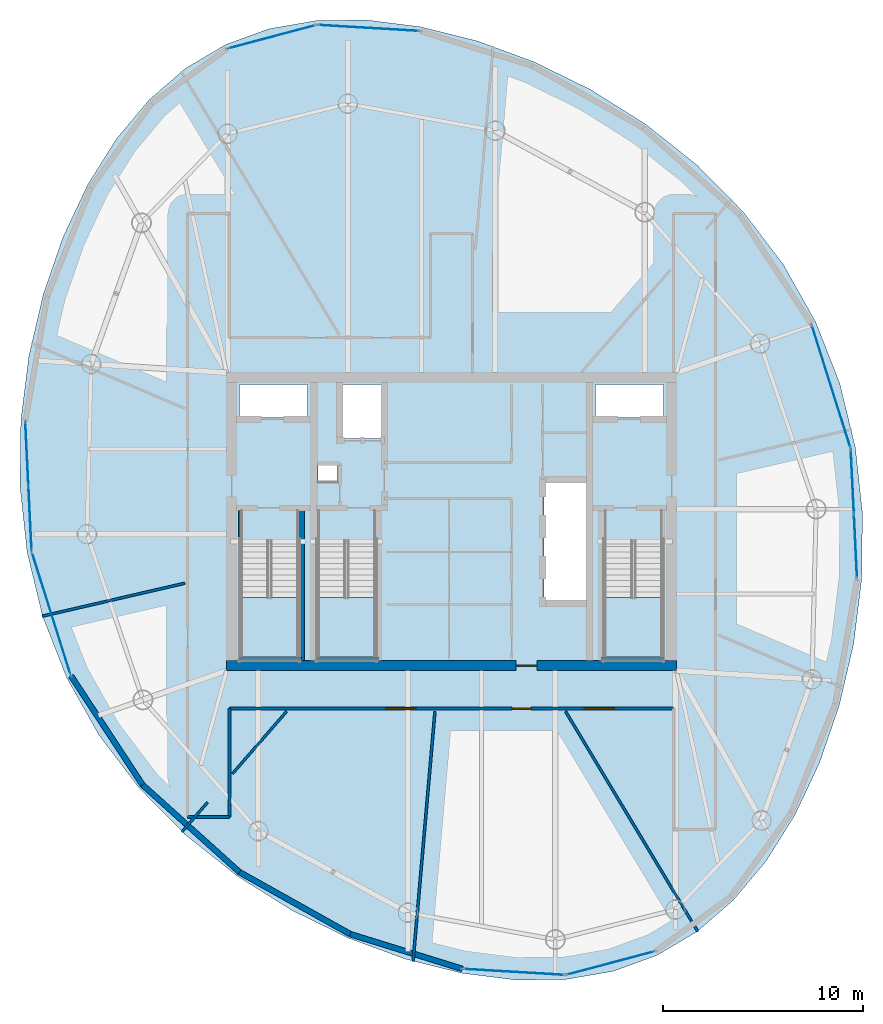
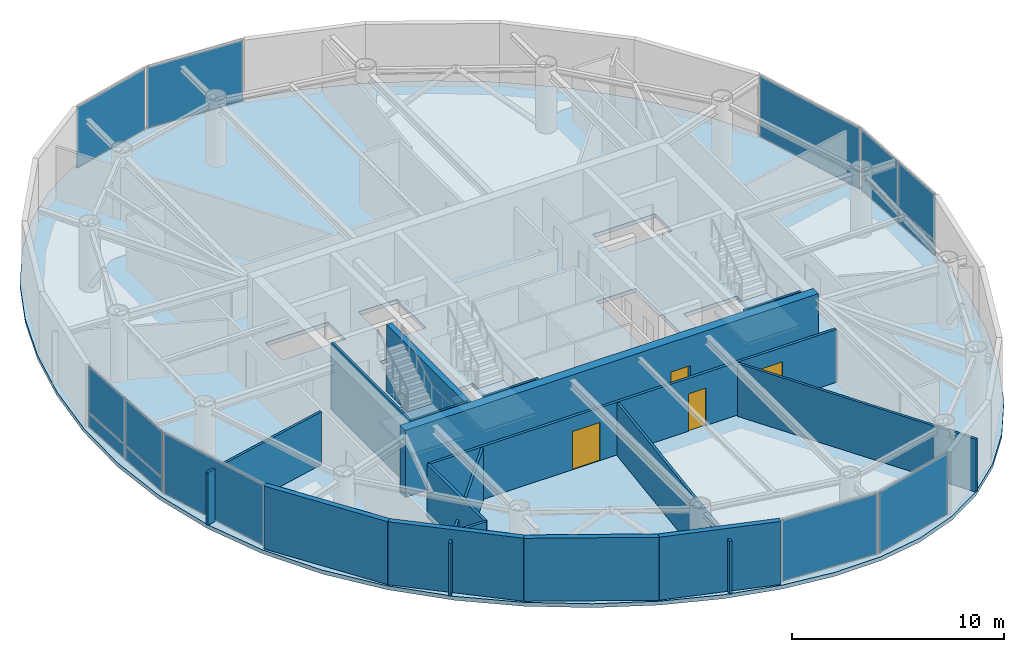
# One storey, part 13 of 19: 18 walls, 14 plates, 4 doors, 4 slabs, 4 openings, 11 elements without a shape of their own.
"""IFC4 building model written with IfcOpenShell, lengths in metres."""

from ifc_helpers import new_model, si_unit, direction, frame, frame_2d, origin, origin_2d, place, context, subcontext, project, spatial, polyline, rectangle, outline, extrude, material, layer, layer_set, type_object, element, fill, aggregate, save


model = new_model("IFC4")

# Units and contexts
model_context = context("Model", 3, precision=1e-05, world=origin(), true_north=direction((0.0, 1.0)))
body_context = subcontext(model_context, "Body", "Model", "MODEL_VIEW")
ifc_project = project(units=[si_unit("LENGTHUNIT", "METRE"), si_unit("AREAUNIT", "SQUARE_METRE"), si_unit("VOLUMEUNIT", "CUBIC_METRE"), si_unit("PLANEANGLEUNIT", "RADIAN"), si_unit("MASSUNIT", "GRAM", prefix="KILO")], contexts=[model_context])

# Site, building, storey
site_placement = place(None, origin())
site = spatial("IfcSite", under=ifc_project, at=site_placement, CompositionType="ELEMENT")
building_placement = place(site_placement, origin())
building = spatial("IfcBuilding", under=site, at=building_placement, Name="Bramvorn Convention Spire", CompositionType="ELEMENT")
storey_placement = place(building_placement, frame((0.0, 0.0, 292.10009765625)))
storey = spatial("IfcBuildingStorey", under=building, at=storey_placement, Name="L74", CompositionType="ELEMENT", Elevation=292.10009765625)

# Curtain wall, plates
ifc_material_1 = material(Name="Anodised Bronze Unitised Curtain Wall", Category="aluminium")
ifc_layer_1 = layer(ifc_material_1, 0.179931640625)
ifc_layer_set_1 = layer_set([ifc_layer_1], Name="Anodised Bronze Unitised Curtain Wall - CW-OFF-FRIT")
curtain_wall_type = type_object("IfcCurtainWallType", Name="CW-OFF-FRIT", PredefinedType="USERDEFINED", material=ifc_layer_set_1)
curtain_wall_1_placement = place(storey_placement, origin())
curtain_wall_1 = element("IfcCurtainWall", 1, at=curtain_wall_1_placement, inside=storey, type_object=curtain_wall_type, Name="L74 fritted glass curtain wall 05", ObjectType="UNITISED CURTAIN WALL", PredefinedType="USERDEFINED")
ifc_material_2 = material(Name="Laminated Low-E Glass (Triple IGU High-VLT Low-Iron 22%)", Category="glass")
ifc_layer_2 = layer(ifc_material_2, 0.0419921875)
ifc_layer_set_2 = layer_set([ifc_layer_2], Name="Laminated Low-E Glass (Triple IGU High-VLT Low-Iron 22%) - PNL-IGU-4")
plate_type = type_object("IfcPlateType", Name="PNL-IGU-4", PredefinedType="CURTAIN_PANEL", material=ifc_layer_set_2)
plate_1_placement = place(storey_placement, frame((58.047119140625, 28.0078125, 0.059814453125), z_axis=(0.0, 0.0, 1.0), x_axis=(0.04872628209, -0.998812169246, 0.0)))
plate_1 = element("IfcPlate", 2, at=plate_1_placement, type_object=plate_type, Name="CW3 panel 1.1", PredefinedType="CURTAIN_PANEL", context=body_context, shape_type="SweptSolid", body=[
    extrude(rectangle(XDim=3.173095703125, YDim=0.028076171875, at=origin_2d()), origin(), (0.0, 0.0, 1.0), 0.81005859375),
])
plate_2_placement = place(storey_placement, frame((58.047119140625, 28.0078125, 0.9296875), z_axis=(0.0, 0.0, 1.0), x_axis=(0.04872628209, -0.998812169246, 0.0)))
plate_2 = element("IfcPlate", 3, at=plate_2_placement, type_object=plate_type, Name="CW3 panel 1.2", PredefinedType="CURTAIN_PANEL", context=body_context, shape_type="SweptSolid", body=[
    extrude(rectangle(XDim=3.173095703125, YDim=0.028076171875, at=origin_2d()), origin(), (0.0, 0.0, 1.0), 2.635009765625),
])
plate_3_placement = place(storey_placement, frame((58.20458984375, 24.7783203125, 0.059814453125), z_axis=(0.0, 0.0, 1.0), x_axis=(0.04872628209, -0.998812169246, 0.0)))
plate_3 = element("IfcPlate", 4, at=plate_3_placement, type_object=plate_type, Name="CW3 panel 2.1", PredefinedType="CURTAIN_PANEL", context=body_context, shape_type="SweptSolid", body=[
    extrude(rectangle(XDim=3.173095703125, YDim=0.028076171875, at=origin_2d()), origin(), (0.0, 0.0, 1.0), 0.81005859375),
])
plate_4_placement = place(storey_placement, frame((58.20458984375, 24.7783203125, 0.9296875), z_axis=(0.0, 0.0, 1.0), x_axis=(0.04872628209, -0.998812169246, 0.0)))
plate_4 = element("IfcPlate", 5, at=plate_4_placement, type_object=plate_type, Name="CW3 panel 2.2", PredefinedType="CURTAIN_PANEL", context=body_context, shape_type="SweptSolid", body=[
    extrude(rectangle(XDim=3.173095703125, YDim=0.028076171875, at=origin_2d()), origin(), (0.0, 0.0, 1.0), 2.635009765625),
])
aggregate(curtain_wall_1, [plate_1, plate_2, plate_3, plate_4])

# Curtain wall, plate
curtain_wall_2_placement = place(storey_placement, origin())
curtain_wall_2 = element("IfcCurtainWall", 6, at=curtain_wall_2_placement, inside=storey, type_object=curtain_wall_type, Name="L74 fritted glass curtain wall 06", ObjectType="UNITISED CURTAIN WALL", PredefinedType="USERDEFINED")
plate_5_placement = place(storey_placement, frame((56.984619140625, 32.764404296875, 0.06005859375), z_axis=(0.0, 0.0, 1.0), x_axis=(0.301014778245, -0.953619475094, 0.0)))
plate_5 = element("IfcPlate", 7, at=plate_5_placement, type_object=plate_type, Name="CW3 panel 1.1", PredefinedType="CURTAIN_PANEL", context=body_context, shape_type="SweptSolid", body=[
    extrude(rectangle(XDim=6.406982421875, YDim=0.028076171875, at=origin_2d()), origin(), (0.0, 0.0, 1.0), 3.5048828125),
])
aggregate(curtain_wall_2, [plate_5])

curtain_wall_3_placement = place(storey_placement, origin())
curtain_wall_3 = element("IfcCurtainWall", 8, at=curtain_wall_3_placement, inside=storey, type_object=curtain_wall_type, Name="L74 fritted glass curtain wall 11", ObjectType="UNITISED CURTAIN WALL", PredefinedType="USERDEFINED")
plate_6_placement = place(storey_placement, frame((33.8505859375, 50.687744140625, 0.06005859375), z_axis=(0.0, 0.0, 1.0), x_axis=(0.998234732905, -0.059392070371, 0.0)))
plate_6 = element("IfcPlate", 9, at=plate_6_placement, type_object=plate_type, Name="CW3 panel 1.1", PredefinedType="CURTAIN_PANEL", context=body_context, shape_type="SweptSolid", body=[
    extrude(rectangle(XDim=5.05908203125, YDim=0.028076171875, at=origin_2d()), origin(), (0.0, 0.0, 1.0), 3.5048828125),
])
aggregate(curtain_wall_3, [plate_6])

curtain_wall_4_placement = place(storey_placement, origin())
curtain_wall_4 = element("IfcCurtainWall", 10, at=curtain_wall_4_placement, inside=storey, type_object=curtain_wall_type, Name="L74 fritted glass curtain wall 12", ObjectType="UNITISED CURTAIN WALL", PredefinedType="USERDEFINED")
plate_7_placement = place(storey_placement, frame((29.01806640625, 50.245361328125, 0.06005859375), z_axis=(0.0, 0.0, 1.0), x_axis=(0.966583090481, 0.256353523862, 0.0)))
plate_7 = element("IfcPlate", 11, at=plate_7_placement, type_object=plate_type, Name="CW3 panel 1.1", PredefinedType="CURTAIN_PANEL", context=body_context, shape_type="SweptSolid", body=[
    extrude(rectangle(XDim=4.530517578125, YDim=0.028076171875, at=origin_2d()), origin(), (0.0, 0.0, 1.0), 3.5048828125),
])
aggregate(curtain_wall_4, [plate_7])

# Curtain wall, plates
curtain_wall_5_placement = place(storey_placement, origin())
curtain_wall_5 = element("IfcCurtainWall", 12, at=curtain_wall_5_placement, inside=storey, type_object=curtain_wall_type, Name="L74 fritted glass curtain wall 17", ObjectType="UNITISED CURTAIN WALL", PredefinedType="USERDEFINED")
plate_8_placement = place(storey_placement, frame((16.92333984375, 26.160400390625, 0.059814453125), z_axis=(0.0, 0.0, 1.0), x_axis=(-0.048710995733, 0.998812914862, 0.0)))
plate_8 = element("IfcPlate", 13, at=plate_8_placement, type_object=plate_type, Name="CW3 panel 1.1", PredefinedType="CURTAIN_PANEL", context=body_context, shape_type="SweptSolid", body=[
    extrude(rectangle(XDim=3.173095703125, YDim=0.028076171875, at=origin_2d()), origin(), (0.0, 0.0, 1.0), 0.81005859375),
])
plate_9_placement = place(storey_placement, frame((16.92333984375, 26.160400390625, 0.9296875), z_axis=(0.0, 0.0, 1.0), x_axis=(-0.048710995733, 0.998812914862, 0.0)))
plate_9 = element("IfcPlate", 14, at=plate_9_placement, type_object=plate_type, Name="CW3 panel 1.2", PredefinedType="CURTAIN_PANEL", context=body_context, shape_type="SweptSolid", body=[
    extrude(rectangle(XDim=3.173095703125, YDim=0.028076171875, at=origin_2d()), origin(), (0.0, 0.0, 1.0), 2.635009765625),
])
plate_10_placement = place(storey_placement, frame((16.765869140625, 29.3896484375, 0.059814453125), z_axis=(0.0, 0.0, 1.0), x_axis=(-0.048710995733, 0.998812914862, 0.0)))
plate_10 = element("IfcPlate", 15, at=plate_10_placement, type_object=plate_type, Name="CW3 panel 2.1", PredefinedType="CURTAIN_PANEL", context=body_context, shape_type="SweptSolid", body=[
    extrude(rectangle(XDim=3.173095703125, YDim=0.028076171875, at=origin_2d()), origin(), (0.0, 0.0, 1.0), 0.81005859375),
])
plate_11_placement = place(storey_placement, frame((16.765869140625, 29.3896484375, 0.9296875), z_axis=(0.0, 0.0, 1.0), x_axis=(-0.048710995733, 0.998812914862, 0.0)))
plate_11 = element("IfcPlate", 16, at=plate_11_placement, type_object=plate_type, Name="CW3 panel 2.2", PredefinedType="CURTAIN_PANEL", context=body_context, shape_type="SweptSolid", body=[
    extrude(rectangle(XDim=3.173095703125, YDim=0.028076171875, at=origin_2d()), origin(), (0.0, 0.0, 1.0), 2.635009765625),
])
aggregate(curtain_wall_5, [plate_8, plate_9, plate_10, plate_11])

# Curtain wall, plate
curtain_wall_6_placement = place(storey_placement, origin())
curtain_wall_6 = element("IfcCurtainWall", 17, at=curtain_wall_6_placement, inside=storey, type_object=curtain_wall_type, Name="L74 fritted glass curtain wall 18", ObjectType="UNITISED CURTAIN WALL", PredefinedType="USERDEFINED")
plate_12_placement = place(storey_placement, frame((17.98583984375, 21.403564453125, 0.06005859375), z_axis=(0.0, 0.0, 1.0), x_axis=(-0.301014778245, 0.953619475094, 0.0)))
plate_12 = element("IfcPlate", 18, at=plate_12_placement, type_object=plate_type, Name="CW3 panel 1.1", PredefinedType="CURTAIN_PANEL", context=body_context, shape_type="SweptSolid", body=[
    extrude(rectangle(XDim=6.406982421875, YDim=0.028076171875, at=origin_2d()), origin(), (0.0, 0.0, 1.0), 3.5048828125),
])
aggregate(curtain_wall_6, [plate_12])

curtain_wall_7_placement = place(storey_placement, origin())
curtain_wall_7 = element("IfcCurtainWall", 19, at=curtain_wall_7_placement, inside=storey, type_object=curtain_wall_type, Name="L74 fritted glass curtain wall 23", ObjectType="UNITISED CURTAIN WALL", PredefinedType="USERDEFINED")
plate_13_placement = place(storey_placement, frame((41.119873046875, 3.480224609375, 0.06005859375), z_axis=(0.0, 0.0, 1.0), x_axis=(-0.998234801011, 0.059390925661, 0.0)))
plate_13 = element("IfcPlate", 20, at=plate_13_placement, type_object=plate_type, Name="CW3 panel 1.1", PredefinedType="CURTAIN_PANEL", context=body_context, shape_type="SweptSolid", body=[
    extrude(rectangle(XDim=5.059326171875, YDim=0.028076171875, at=origin_2d()), origin(), (0.0, 0.0, 1.0), 3.5048828125),
])
aggregate(curtain_wall_7, [plate_13])

curtain_wall_8_placement = place(storey_placement, origin())
curtain_wall_8 = element("IfcCurtainWall", 21, at=curtain_wall_8_placement, inside=storey, type_object=curtain_wall_type, Name="L74 fritted glass curtain wall 24", ObjectType="UNITISED CURTAIN WALL", PredefinedType="USERDEFINED")
plate_14_placement = place(storey_placement, frame((45.952392578125, 3.922607421875, 0.06005859375), z_axis=(0.0, 0.0, 1.0), x_axis=(-0.966583090481, -0.256353523862, 0.0)))
plate_14 = element("IfcPlate", 22, at=plate_14_placement, type_object=plate_type, Name="CW3 panel 1.1", PredefinedType="CURTAIN_PANEL", context=body_context, shape_type="SweptSolid", body=[
    extrude(rectangle(XDim=4.530517578125, YDim=0.028076171875, at=origin_2d()), origin(), (0.0, 0.0, 1.0), 3.5048828125),
])
aggregate(curtain_wall_8, [plate_14])

# Stair, slab
ifc_material_3 = material(Name="Concrete C40/50 Precast Stair", Category="concrete")
stair_type = type_object("IfcStairType", Name="ST-TOWER-1550", PredefinedType="HALF_TURN_STAIR", material=ifc_material_3)
stair_1_placement = place(storey_placement, origin())
stair_1 = element("IfcStair", 23, at=stair_1_placement, inside=storey, type_object=stair_type, Name="L74 Protected Exit Stair ST1", PredefinedType="HALF_TURN_STAIR")
ifc_material_4 = material(Name="Concrete C40/50 Stair Landing", Category="concrete")
ifc_layer_3 = layer(ifc_material_4, 0.219970703125)
ifc_layer_set_3 = layer_set([ifc_layer_3], Name="Concrete C40/50 Stair Landing - SLB-STAIR-LANDING")
slab_type_1 = type_object("IfcSlabType", Name="SLB-STAIR-LANDING", PredefinedType="LANDING", material=ifc_layer_set_3)
slab_1_placement = place(storey_placement, frame((0.0, 0.0, 1.724853515625)))
slab_1 = element("IfcSlab", 24, at=slab_1_placement, type_object=slab_type_1, Name="ST1 landing 1", PredefinedType="LANDING", context=body_context, shape_type="SweptSolid", body=[
    extrude(outline(polyline([(27.449951171875, 22.199951171875), (27.449951171875, 19.10009765625), (30.35009765625, 19.10009765625), (30.35009765625, 22.199951171875), (27.449951171875, 22.199951171875)])), origin(), (0.0, 0.0, 1.0), 0.199951171875),
])
aggregate(stair_1, [slab_1])

stair_2_placement = place(storey_placement, origin())
stair_2 = element("IfcStair", 25, at=stair_2_placement, inside=storey, type_object=stair_type, Name="L74 Protected Exit Stair ST2", PredefinedType="HALF_TURN_STAIR")
slab_2_placement = place(storey_placement, frame((0.0, 0.0, 1.724853515625)))
slab_2 = element("IfcSlab", 26, at=slab_2_placement, type_object=slab_type_1, Name="ST2 landing 1", PredefinedType="LANDING", context=body_context, shape_type="SweptSolid", body=[
    extrude(outline(polyline([(45.64990234375, 22.199951171875), (45.64990234375, 19.10009765625), (48.550048828125, 19.10009765625), (48.550048828125, 22.199951171875), (45.64990234375, 22.199951171875)])), origin(), (0.0, 0.0, 1.0), 0.199951171875),
])
aggregate(stair_2, [slab_2])

stair_3_placement = place(storey_placement, origin())
stair_3 = element("IfcStair", 27, at=stair_3_placement, inside=storey, type_object=stair_type, Name="L74 Protected Exit Stair ST3", PredefinedType="HALF_TURN_STAIR")
slab_3_placement = place(storey_placement, frame((0.0, 0.0, 1.724853515625)))
slab_3 = element("IfcSlab", 28, at=slab_3_placement, type_object=slab_type_1, Name="ST3 landing 1", PredefinedType="LANDING", context=body_context, shape_type="SweptSolid", body=[
    extrude(outline(polyline([(31.300048828125, 22.199951171875), (31.300048828125, 19.10009765625), (34.199951171875, 19.10009765625), (34.199951171875, 22.199951171875), (31.300048828125, 22.199951171875)])), origin(), (0.0, 0.0, 1.0), 0.199951171875),
])
aggregate(stair_3, [slab_3])

# Slab
ifc_material_5 = material(Name="Concrete C40/50", Category="concrete")
ifc_layer_4 = layer(ifc_material_5, 0.22509765625)
ifc_layer_set_4 = layer_set([ifc_layer_4], Name="Concrete C40/50 - SLB-Z4-225")
slab_type_2 = type_object("IfcSlabType", Name="SLB-Z4-225", PredefinedType="FLOOR", material=ifc_layer_set_4)
slab_4_placement = place(storey_placement, frame((0.0, 0.0, -0.22509765625)))
element("IfcSlab", 29, at=slab_4_placement, inside=storey, type_object=slab_type_2, Name="L74 tower floor slab", PredefinedType="FLOOR", context=body_context, shape_type="SweptSolid", body=[
    extrude(outline(polyline([(48.29443359375, 4.320068359375), (50.291015625, 5.506591796875), (52.10400390625, 7.07958984375), (53.7333984375, 9.026123046875), (55.17138671875, 11.32275390625), (56.400390625, 13.93359375), (57.392578125, 16.810791015625), (58.1103515625, 19.89501953125), (58.510986328125, 23.119384765625), (58.552001953125, 26.41162109375), (58.196533203125, 29.6982421875), (57.420654296875, 32.90869140625), (56.216796875, 35.978515625), (54.598876953125, 38.851318359375), (52.601318359375, 41.481689453125), (50.279052734375, 43.83447265625), (47.701904296875, 45.883544921875), (44.949951171875, 47.61083984375), (42.106201171875, 49.00390625), (39.24951171875, 50.0537109375), (36.449462890625, 50.751220703125), (33.7607421875, 51.088623046875), (31.222412109375, 51.05615234375), (28.857421875, 50.645263671875), (26.676025390625, 49.84814453125), (24.6796875, 48.661376953125), (22.866455078125, 47.08837890625), (21.237060546875, 45.141845703125), (19.799072265625, 42.84521484375), (18.570068359375, 40.234375), (17.577880859375, 37.357177734375), (16.860107421875, 34.27294921875), (16.45947265625, 31.048583984375), (16.41845703125, 27.75634765625), (16.77392578125, 24.4697265625), (17.550048828125, 21.25927734375), (18.753662109375, 18.189697265625), (20.37158203125, 15.316650390625), (22.369140625, 12.686279296875), (24.69140625, 10.33349609375), (27.268798828125, 8.284423828125), (30.0205078125, 6.55712890625), (32.864501953125, 5.1640625), (35.720947265625, 4.114501953125), (38.521240234375, 3.416748046875), (41.209716796875, 3.079345703125), (43.748291015625, 3.11181640625), (46.113037109375, 3.522705078125), (48.29443359375, 4.320068359375)]), holes=[polyline([(27.449951171875, 25.050048828125), (27.449951171875, 19.10009765625), (30.35009765625, 19.10009765625), (30.35009765625, 25.050048828125), (27.449951171875, 25.050048828125)]), polyline([(45.64990234375, 25.050048828125), (45.64990234375, 19.10009765625), (48.550048828125, 19.10009765625), (48.550048828125, 25.050048828125), (45.64990234375, 25.050048828125)]), polyline([(31.300048828125, 25.050048828125), (31.300048828125, 19.10009765625), (34.199951171875, 19.10009765625), (34.199951171875, 25.050048828125), (31.300048828125, 25.050048828125)]), polyline([(27.39990234375, 31.219970703125), (30.800048828125, 31.219970703125), (30.800048828125, 32.85009765625), (27.39990234375, 32.85009765625), (27.39990234375, 31.219970703125)]), polyline([(45.199951171875, 31.219970703125), (48.60009765625, 31.219970703125), (48.60009765625, 32.85009765625), (45.199951171875, 32.85009765625), (45.199951171875, 31.219970703125)]), polyline([(32.449951171875, 30.14990234375), (34.56005859375, 30.14990234375), (34.56005859375, 32.85009765625), (32.449951171875, 32.85009765625), (32.449951171875, 30.14990234375)]), polyline([(42.6201171875, 22.0), (44.75, 22.0), (44.75, 28.0), (42.6201171875, 28.0), (42.6201171875, 22.0)]), polyline([(31.320068359375, 28.02001953125), (32.280029296875, 28.02001953125), (32.280029296875, 28.820068359375), (31.320068359375, 28.820068359375), (31.320068359375, 28.02001953125)])]), origin(), (0.0, 0.0, 1.0), 0.22509765625),
])

# Wall, opening, door
ifc_material_6 = material(Name="Concrete C50/60", Category="concrete")
ifc_layer_5 = layer(ifc_material_6, 0.5)
ifc_layer_set_5 = layer_set([ifc_layer_5], Name="Concrete C50/60 - WL-CORE-500")
wall_type_1 = type_object("IfcWallType", Name="WL-CORE-500", PredefinedType="SHEAR", material=ifc_layer_set_5)
wall_1_placement = place(storey_placement, frame((26.75, 18.800048828125, 0.0), z_axis=(0.0, 0.0, 1.0), x_axis=(1.0, 0.0, 0.0)))
wall_1 = element("IfcWall", 30, at=wall_1_placement, inside=storey, type_object=wall_type_1, Name="L74 South RC core shear wall", PredefinedType="SHEAR", context=body_context, shape_type="SweptSolid", body=[
    extrude(rectangle(XDim=22.5, YDim=0.5, at=frame_2d((11.25, 0.0))), origin(), (0.0, 0.0, 1.0), 3.849853515625),
])
opening_1_placement = place(wall_1_placement, frame((14.469970703125, 0.0, 0.0)))
opening_1 = element("IfcOpeningElement", 31, at=opening_1_placement, cuts=wall_1, Name="Opening DL-105", PredefinedType="OPENING", context=body_context, shape_type="SweptSolid", body=[
    extrude(rectangle(XDim=1.050048828125, YDim=2.14990234375, at=frame_2d((0.52490234375, 1.074951171875))), frame((0.0, 0.260009765625, 0.0), z_axis=(0.0, -1.0, 0.0), x_axis=(1.0, 0.0, 0.0)), (0.0, 0.0, 1.0), 0.52001953125),
])
ifc_material_7 = material(Name="Smoke-Sealed Fire Lobby Timber-Core Door", Category="wood")
door_type_1 = type_object("IfcDoorType", Name="DR-LOBBY-1050", OperationType="NOTDEFINED", PredefinedType="DOOR", material=ifc_material_7)
door_1_placement = place(opening_1_placement, origin())
door_1 = element("IfcDoor", 32, at=door_1_placement, inside=storey, type_object=door_type_1, Name="L74 South Lift Lobby fire door", OperationType="SINGLE_SWING_RIGHT", OverallHeight=2.14990234375, OverallWidth=1.050048828125, PredefinedType="DOOR", context=body_context, shape_type="SweptSolid", body=[
    extrude(rectangle(XDim=1.050048828125, YDim=2.14990234375, at=frame_2d((0.52490234375, 1.074951171875))), frame((0.0, 0.02490234375, 0.0), z_axis=(0.0, -1.0, 0.0), x_axis=(1.0, 0.0, 0.0)), (0.0, 0.0, 1.0), 0.050048828125),
])
fill(opening_1, door_1)

# Walls
ifc_material_8 = material(Name="Precast Concrete C40/50 with Bronze Terracotta Rainscreen", Category="masonry")
ifc_layer_6 = layer(ifc_material_8, 0.300048828125)
ifc_layer_set_6 = layer_set([ifc_layer_6], Name="Precast Concrete C40/50 with Bronze Terracotta Rainscreen - WL-EXT-BRONZE-300")
wall_type_2 = type_object("IfcWallType", Name="WL-EXT-BRONZE-300", PredefinedType="SOLIDWALL", material=ifc_layer_set_6)
wall_2_placement = place(storey_placement, frame((22.550048828125, 12.835205078125, 0.0), z_axis=(0.0, 0.0, 1.0), x_axis=(-0.54877327346, 0.835971228175, 0.0)))
element("IfcWall", 33, at=wall_2_placement, inside=storey, type_object=wall_type_2, Name="L74 expressed bronze Gothic lancet pier wall 19", PredefinedType="SOLIDWALL", context=body_context, shape_type="SweptSolid", body=[
    extrude(rectangle(XDim=6.52685546875, YDim=0.280029296875, at=frame_2d((3.263427734375, 0.0))), origin(), (0.0, 0.0, 1.0), 3.625),
])
wall_3_placement = place(storey_placement, frame((27.400390625, 8.46875, 0.0), z_axis=(0.0, 0.0, 1.0), x_axis=(-0.743206714198, 0.669061865578, 0.0)))
element("IfcWall", 34, at=wall_3_placement, inside=storey, type_object=wall_type_2, Name="L74 expressed bronze Gothic lancet pier wall 20", PredefinedType="SOLIDWALL", context=body_context, shape_type="SweptSolid", body=[
    extrude(rectangle(XDim=6.526123046875, YDim=0.280029296875, at=frame_2d((3.26318359375, 0.0))), origin(), (0.0, 0.0, 1.0), 3.625),
])
wall_4_placement = place(storey_placement, frame((32.938232421875, 5.37109375, 0.0), z_axis=(0.0, 0.0, 1.0), x_axis=(-0.872743421577, 0.48817918851, 0.0)))
element("IfcWall", 35, at=wall_4_placement, inside=storey, type_object=wall_type_2, Name="L74 expressed bronze Gothic lancet pier wall 21", PredefinedType="SOLIDWALL", context=body_context, shape_type="SweptSolid", body=[
    extrude(rectangle(XDim=6.34521484375, YDim=0.280029296875, at=frame_2d((3.172607421875, 0.0))), origin(), (0.0, 0.0, 1.0), 3.625),
])
wall_5_placement = place(storey_placement, frame((38.534912109375, 3.634033203125, 0.0), z_axis=(0.0, 0.0, 1.0), x_axis=(-0.955056409613, 0.296424112476, 0.0)))
element("IfcWall", 36, at=wall_5_placement, inside=storey, type_object=wall_type_2, Name="L74 expressed bronze Gothic lancet pier wall 22", PredefinedType="SOLIDWALL", context=body_context, shape_type="SweptSolid", body=[
    extrude(rectangle(XDim=5.860107421875, YDim=0.280029296875, at=frame_2d((2.93017578125, 0.0))), origin(), (0.0, 0.0, 1.0), 3.625),
])
ifc_material_9 = material(Name="Metal-Stud Demountable Office Partition", Category="gypsum")
ifc_layer_7 = layer(ifc_material_9, 0.1298828125)
ifc_layer_set_7 = layer_set([ifc_layer_7], Name="Metal-Stud Demountable Office Partition - WL-PART-130")
wall_type_3 = type_object("IfcWallType", Name="WL-PART-130", PredefinedType="PARTITIONING", material=ifc_layer_set_7)
wall_6_placement = place(storey_placement, frame((24.659912109375, 22.920166015625, 0.0), z_axis=(0.0, 0.0, 1.0), x_axis=(-0.974372115757, -0.224942170425, 0.0)))
element("IfcWall", 37, at=wall_6_placement, inside=storey, type_object=wall_type_3, Name="L74 Tenant suite partition 6", PredefinedType="PARTITIONING", context=body_context, shape_type="SweptSolid", body=[
    extrude(rectangle(XDim=7.333740234375, YDim=0.1298828125, at=frame_2d((3.6669921875, 0.0))), origin(), (0.0, 0.0, 1.0), 3.039794921875),
])
wall_7_placement = place(storey_placement, frame((29.75048828125, 16.510009765625, 0.0), z_axis=(0.0, 0.0, 1.0), x_axis=(-0.656070441922, -0.754699658961, 0.0)))
element("IfcWall", 38, at=wall_7_placement, inside=storey, type_object=wall_type_3, Name="L74 Tenant suite partition 7", PredefinedType="PARTITIONING", context=body_context, shape_type="SweptSolid", body=[
    extrude(rectangle(XDim=4.13134765625, YDim=0.1298828125, at=frame_2d((2.065673828125, 0.0))), origin(), (0.0, 0.0, 1.0), 3.039794921875),
])
wall_8_placement = place(storey_placement, frame((25.79833984375, 11.96337890625, 0.0), z_axis=(0.0, 0.0, 1.0), x_axis=(-0.656123481739, -0.754653547471, 0.0)))
element("IfcWall", 39, at=wall_8_placement, inside=storey, type_object=wall_type_3, Name="L74 Tenant suite partition 7", PredefinedType="PARTITIONING", context=body_context, shape_type="SweptSolid", body=[
    extrude(rectangle(XDim=1.969970703125, YDim=0.1298828125, at=frame_2d((0.98486328125, 0.0))), origin(), (0.0, 0.0, 1.0), 3.039794921875),
])
wall_9_placement = place(storey_placement, frame((37.169677734375, 16.510009765625, 0.0), z_axis=(0.0, 0.0, 1.0), x_axis=(-0.087144529253, -0.996195679082, 0.0)))
element("IfcWall", 40, at=wall_9_placement, inside=storey, type_object=wall_type_3, Name="L74 Tenant suite partition 8", PredefinedType="PARTITIONING", context=body_context, shape_type="SweptSolid", body=[
    extrude(rectangle(XDim=12.562255859375, YDim=0.1298828125, at=frame_2d((6.28125, 0.0))), origin(), (0.0, 0.0, 1.0), 3.039794921875),
])
wall_10_placement = place(storey_placement, frame((43.7021484375, 16.510009765625, 0.0), z_axis=(0.0, 0.0, 1.0), x_axis=(0.515037616381, -0.857167576214, 0.0)))
element("IfcWall", 41, at=wall_10_placement, inside=storey, type_object=wall_type_3, Name="L74 Tenant suite partition 9", PredefinedType="PARTITIONING", context=body_context, shape_type="SweptSolid", body=[
    extrude(rectangle(XDim=12.851806640625, YDim=0.1298828125, at=frame_2d((6.42578125, 0.0))), origin(), (0.0, 0.0, 1.0), 3.039794921875),
])

# Wall, openings, doors
ifc_material_10 = material(Name="Acoustic Metal-Stud Tenant/Corridor Partition", Category="gypsum")
ifc_layer_8 = layer(ifc_material_10, 0.14990234375)
ifc_layer_set_8 = layer_set([ifc_layer_8], Name="Acoustic Metal-Stud Tenant/Corridor Partition - WL-PART-150")
wall_type_4 = type_object("IfcWallType", Name="WL-PART-150", PredefinedType="PARTITIONING", material=ifc_layer_set_8)
wall_11_placement = place(storey_placement, frame((26.89990234375, 16.64990234375, 0.0), z_axis=(0.0, 0.0, 1.0), x_axis=(1.0, 0.0, 0.0)))
wall_11 = element("IfcWall", 42, at=wall_11_placement, inside=storey, type_object=wall_type_4, Name="L74 South H-crossbar wall", PredefinedType="PARTITIONING", context=body_context, shape_type="SweptSolid", body=[
    extrude(rectangle(XDim=22.2001953125, YDim=0.14990234375, at=frame_2d((11.10009765625, 0.0))), origin(), (0.0, 0.0, 1.0), 3.039794921875),
])
opening_2_placement = place(wall_11_placement, frame((7.81298828125, 0.0, 0.0)))
opening_2 = element("IfcOpeningElement", 43, at=opening_2_placement, cuts=wall_11, Name="Opening DC-150", PredefinedType="OPENING", context=body_context, shape_type="SweptSolid", body=[
    extrude(rectangle(XDim=1.5, YDim=2.199951171875, at=frame_2d((0.75, 1.10009765625))), frame((0.0, 0.0849609375, 0.0), z_axis=(0.0, -1.0, 0.0), x_axis=(1.0, 0.0, 0.0)), (0.0, 0.0, 1.0), 0.169921875),
])
opening_3_placement = place(wall_11_placement, frame((14.12548828125, 0.0, 0.0)))
opening_3 = element("IfcOpeningElement", 44, at=opening_3_placement, cuts=wall_11, Name="Opening DH-095", PredefinedType="OPENING", context=body_context, shape_type="SweptSolid", body=[
    extrude(rectangle(XDim=0.949951171875, YDim=2.14990234375, at=frame_2d((0.47509765625, 1.074951171875))), frame((0.0, 0.0849609375, 0.0), z_axis=(0.0, -1.0, 0.0), x_axis=(1.0, 0.0, 0.0)), (0.0, 0.0, 1.0), 0.169921875),
])
opening_4_placement = place(wall_11_placement, frame((17.740966796875, 0.0, 0.0)))
opening_4 = element("IfcOpeningElement", 45, at=opening_4_placement, cuts=wall_11, Name="Opening DC-150", PredefinedType="OPENING", context=body_context, shape_type="SweptSolid", body=[
    extrude(rectangle(XDim=1.5, YDim=2.199951171875, at=frame_2d((0.75, 1.10009765625))), frame((0.0, 0.0849609375, 0.0), z_axis=(0.0, -1.0, 0.0), x_axis=(1.0, 0.0, 0.0)), (0.0, 0.0, 1.0), 0.169921875),
])
ifc_material_11 = material(Name="Double-Leaf Smoke-Control Corridor Door", Category="wood")
door_type_2 = type_object("IfcDoorType", Name="DR-COR-1500", OperationType="NOTDEFINED", PredefinedType="DOOR", material=ifc_material_11)
door_2_placement = place(opening_2_placement, origin())
door_2 = element("IfcDoor", 46, at=door_2_placement, inside=storey, type_object=door_type_2, Name="L74 Reception Desk 7 door", OperationType="DOUBLE_DOOR_SINGLE_SWING", OverallHeight=2.199951171875, OverallWidth=1.5, PredefinedType="DOOR", context=body_context, shape_type="SweptSolid", body=[
    extrude(rectangle(XDim=1.5, YDim=2.199951171875, at=frame_2d((0.75, 1.10009765625))), frame((0.0, 0.02490234375, 0.0), z_axis=(0.0, -1.0, 0.0), x_axis=(1.0, 0.0, 0.0)), (0.0, 0.0, 1.0), 0.050048828125),
])
fill(opening_2, door_2)
door_3_placement = place(opening_4_placement, origin())
door_3 = element("IfcDoor", 47, at=door_3_placement, inside=storey, type_object=door_type_2, Name="L74 Design Office Studio A 9 door", OperationType="DOUBLE_DOOR_SINGLE_SWING", OverallHeight=2.199951171875, OverallWidth=1.5, PredefinedType="DOOR", context=body_context, shape_type="SweptSolid", body=[
    extrude(rectangle(XDim=1.5, YDim=2.199951171875, at=frame_2d((0.75, 1.10009765625))), frame((0.0, 0.02490234375, 0.0), z_axis=(0.0, -1.0, 0.0), x_axis=(1.0, 0.0, 0.0)), (0.0, 0.0, 1.0), 0.050048828125),
])
fill(opening_4, door_3)
ifc_material_12 = material(Name="Solid-Core Acoustic Guestroom Entry Door", Category="wood")
door_type_3 = type_object("IfcDoorType", Name="DR-HOTEL-950", OperationType="NOTDEFINED", PredefinedType="DOOR", material=ifc_material_12)
door_4_placement = place(opening_3_placement, origin())
door_4 = element("IfcDoor", 48, at=door_4_placement, inside=storey, type_object=door_type_3, Name="L74 Tenant Briefing Room 8 door", OperationType="SINGLE_SWING_RIGHT", OverallHeight=2.14990234375, OverallWidth=0.949951171875, PredefinedType="DOOR", context=body_context, shape_type="SweptSolid", body=[
    extrude(rectangle(XDim=0.949951171875, YDim=2.14990234375, at=frame_2d((0.47509765625, 1.074951171875))), frame((0.0, 0.02490234375, 0.0), z_axis=(0.0, -1.0, 0.0), x_axis=(1.0, 0.0, 0.0)), (0.0, 0.0, 1.0), 0.050048828125),
])
fill(opening_3, door_4)

# Walls
wall_12_placement = place(storey_placement, frame((26.89990234375, 11.222412109375, 0.0), z_axis=(0.0, 0.0, 1.0), x_axis=(0.0, 1.0, 0.0)))
element("IfcWall", 49, at=wall_12_placement, inside=storey, type_object=wall_type_4, Name="L74 West gallery SE wall", PredefinedType="PARTITIONING", context=body_context, shape_type="SweptSolid", body=[
    extrude(rectangle(XDim=5.427490234375, YDim=0.14990234375, at=frame_2d((2.7138671875, 0.0))), origin(), (0.0, 0.0, 1.0), 3.039794921875),
])
wall_13_placement = place(storey_placement, frame((24.800048828125, 11.222412109375, 0.0), z_axis=(0.0, 0.0, 1.0), x_axis=(1.0, 0.0, 0.0)))
element("IfcWall", 50, at=wall_13_placement, inside=storey, type_object=wall_type_4, Name="L74 West gallery south end", PredefinedType="PARTITIONING", context=body_context, shape_type="SweptSolid", body=[
    extrude(rectangle(XDim=2.099853515625, YDim=0.14990234375, at=frame_2d((1.0498046875, 0.0))), origin(), (0.0, 0.0, 1.0), 3.039794921875),
])
ifc_layer_9 = layer(ifc_material_6, 0.300048828125)
ifc_layer_set_9 = layer_set([ifc_layer_9], Name="Concrete C50/60 - WL-POD-STAIR-300")
wall_type_5 = type_object("IfcWallType", Name="WL-POD-STAIR-300", PredefinedType="SHEAR", material=ifc_layer_set_9)
wall_14_placement = place(storey_placement, frame((30.489990234375, 19.050048828125, 0.0), z_axis=(0.0, 0.0, 1.0), x_axis=(0.0, 1.0, 0.0)))
element("IfcWall", 51, at=wall_14_placement, inside=storey, type_object=wall_type_5, Name="L74 ST1 east bearing wall", PredefinedType="SHEAR", context=body_context, shape_type="SweptSolid", body=[
    extrude(rectangle(XDim=7.5, YDim=0.300048828125, at=frame_2d((3.75, 0.0))), origin(), (0.0, 0.0, 1.0), 3.849853515625),
])
ifc_layer_10 = layer(ifc_material_6, 0.1201171875)
ifc_layer_set_10 = layer_set([ifc_layer_10], Name="Concrete C50/60 - WL-STAIR-RC-120")
wall_type_6 = type_object("IfcWallType", Name="WL-STAIR-RC-120", PredefinedType="SHEAR", material=ifc_layer_set_10)
wall_15_placement = place(storey_placement, frame((27.39501953125, 19.10009765625, 0.0), z_axis=(0.0, 0.0, 1.0), x_axis=(0.0, 1.0, 0.0)))
element("IfcWall", 52, at=wall_15_placement, inside=storey, type_object=wall_type_6, Name="L74 ST1 west bearing shear wall", PredefinedType="SHEAR", context=body_context, shape_type="SweptSolid", body=[
    extrude(rectangle(XDim=7.449951171875, YDim=0.1201171875, at=frame_2d((3.72509765625, 0.0))), origin(), (0.0, 0.0, 1.0), 3.849853515625),
])
for number, where, z_axis, x_axis, name in (
    (53, (27.39501953125, 19.159912109375, 0.0), (0.0, 0.0, 1.0), (1.0, 0.0, 0.0), "L74 ST1 south bearing shear wall"),
    (54, (45.510009765625, 19.159912109375, 0.0), (0.0, 0.0, 1.0), (1.0, 0.0, 0.0), "L74 ST2 south bearing shear wall"),
):
    element("IfcWall", number, at=place(storey_placement, frame(where, z_axis=z_axis, x_axis=x_axis)), inside=storey, type_object=wall_type_6, Name=name, PredefinedType="SHEAR", context=body_context, shape_type="SweptSolid", body=[
        extrude(rectangle(XDim=3.094970703125, YDim=0.1201171875, at=frame_2d((1.54736328125, 0.0))), origin(), (0.0, 0.0, 1.0), 3.849853515625),
    ])
wall_16_placement = place(storey_placement, frame((31.300048828125, 19.159912109375, 0.0), z_axis=(0.0, 0.0, 1.0), x_axis=(1.0, 0.0, 0.0)))
element("IfcWall", 55, at=wall_16_placement, inside=storey, type_object=wall_type_6, Name="L74 ST3 south bearing shear wall", PredefinedType="SHEAR", context=body_context, shape_type="SweptSolid", body=[
    extrude(rectangle(XDim=3.0400390625, YDim=0.1201171875, at=frame_2d((1.52001953125, 0.0))), origin(), (0.0, 0.0, 1.0), 3.849853515625),
])

save(model, "model.ifc")
